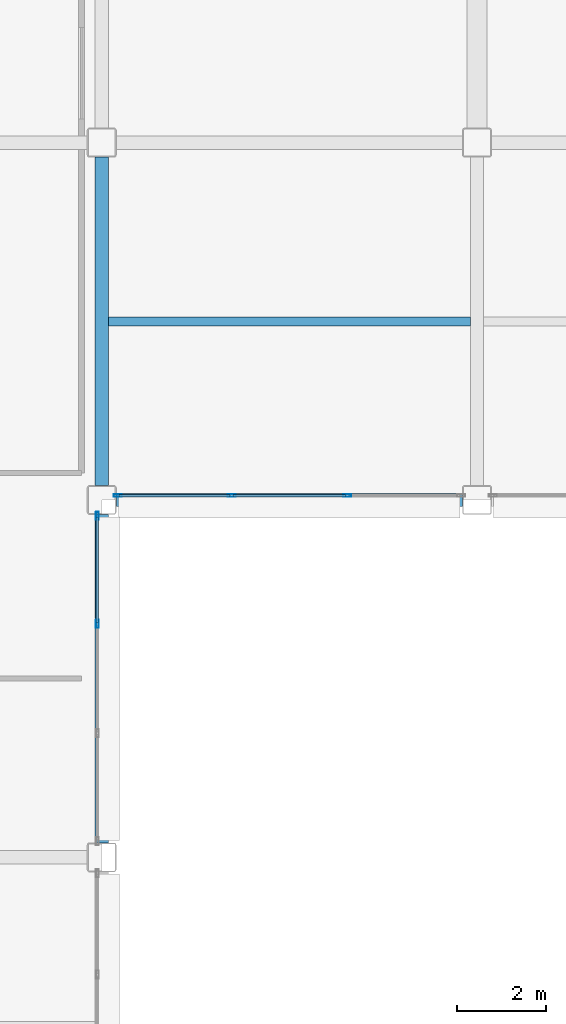
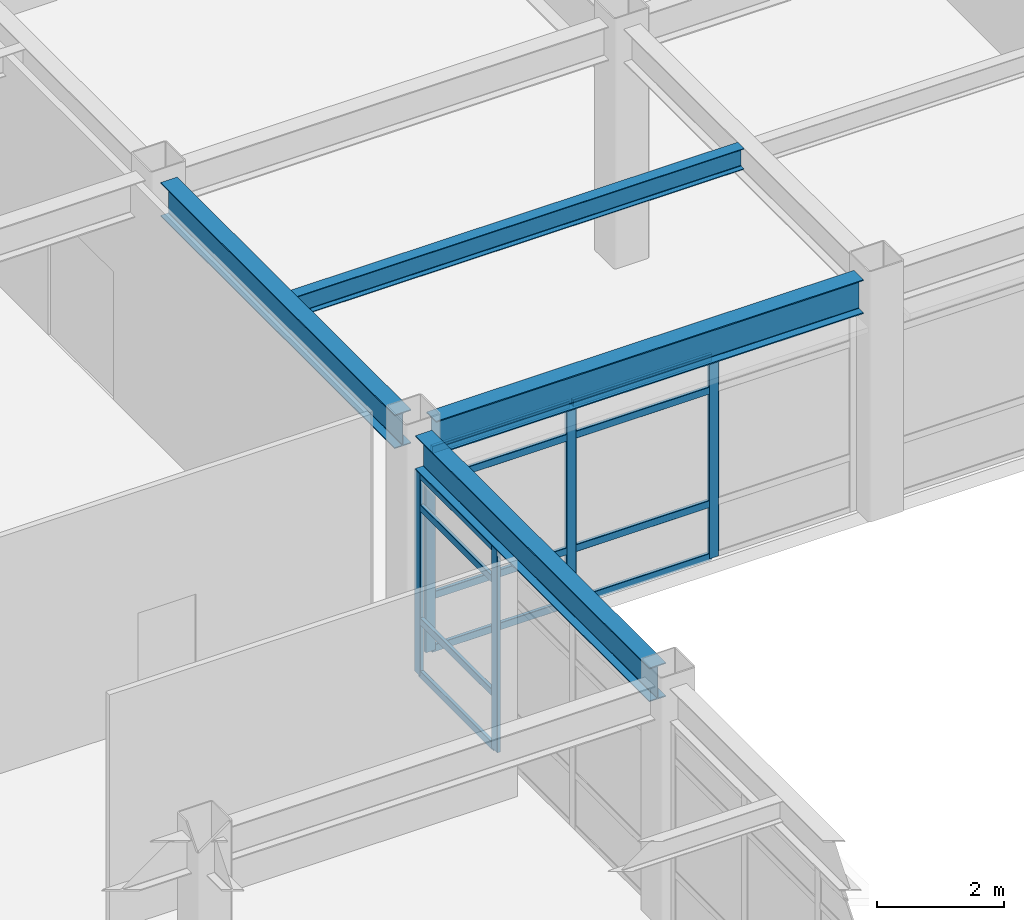
# One storey, part 41 of 172: 17 members, 4 beams, 2 elements without a shape of their own.
"""IFC4 building model written with IfcOpenShell, lengths in metres."""

from ifc_helpers import new_model, si_unit, direction, frame, origin, origin_2d, place, context, subcontext, project, spatial, hollow_rectangle, i_section, extrude, material, layer, layer_set, material_profile, profile_set, type_object, element, aggregate, save


model = new_model("IFC4")

# Units and contexts
model_context = context("Model", 3, precision=1e-05, world=origin(), true_north=direction((0.0, 1.0)))
body_context = subcontext(model_context, "Body", "Model", "MODEL_VIEW")
ifc_project = project(units=[si_unit("LENGTHUNIT", "METRE"), si_unit("AREAUNIT", "SQUARE_METRE"), si_unit("VOLUMEUNIT", "CUBIC_METRE"), si_unit("PLANEANGLEUNIT", "RADIAN"), si_unit("MASSUNIT", "GRAM", prefix="KILO")], contexts=[model_context])

# Site, building, storey
site_placement = place(None, origin())
site = spatial("IfcSite", under=ifc_project, at=site_placement, CompositionType="ELEMENT")
building_placement = place(site_placement, origin())
building = spatial("IfcBuilding", under=site, at=building_placement, Name="Kazehara Bluff Congress Hotel", CompositionType="ELEMENT")
storey_placement = place(building_placement, frame((0.0, 0.0, 5.39990234375)))
storey = spatial("IfcBuildingStorey", under=building, at=storey_placement, Name="L01", CompositionType="ELEMENT", Elevation=5.39990234375)

# Curtain wall, members
ifc_material_1 = material(Name="Anodised aluminium", Category="aluminium")
ifc_layer_1 = layer(ifc_material_1, 0.159912109375)
ifc_layer_set_1 = layer_set([ifc_layer_1], Name="Anodised aluminium")
curtain_wall_type_1 = type_object("IfcCurtainWallType", Name="TP-CW-56", PredefinedType="NOTDEFINED", material=ifc_layer_set_1)
curtain_wall_1_placement = place(storey_placement, origin())
curtain_wall_1 = element("IfcCurtainWall", 1, at=curtain_wall_1_placement, inside=storey, type_object=curtain_wall_type_1, Name="L01 curtain wall CW-56 CW-ENC-V4-L01-7595-1200", PredefinedType="NOTDEFINED")
ifc_material_2 = material(Name="Anodised aluminium", Category="aluminium")
ifc_material_profile_1 = material_profile(ifc_material_2, hollow_rectangle(XDim=0.06494140625, YDim=0.179931640625, WallThickness=0.00390625, InnerFilletRadius=0.00390625, OuterFilletRadius=0.008056640625, at=origin_2d()))
ifc_profile_set_1 = profile_set([ifc_material_profile_1], Name="Anodised aluminium")
member_type_1 = type_object("IfcMemberType", Name="TP-CWM-02", PredefinedType="MULLION", material=ifc_profile_set_1)
member_1_placement = place(storey_placement, frame((75.949951171875, 15.642578125, 0.0), z_axis=(0.0, 0.0, 1.0), x_axis=(1.0, 0.0, 0.0)))
member_1 = element("IfcMember", 2, at=member_1_placement, type_object=member_type_1, Name="CW-56 mullion 1", PredefinedType="MULLION", context=body_context, shape_type="SweptSolid", body=[
    extrude(hollow_rectangle(XDim=0.06494140625, YDim=0.179931640625, WallThickness=0.00390625, InnerFilletRadius=0.00390625, OuterFilletRadius=0.008056640625, at=origin_2d()), origin(), (0.0, 0.0, 1.0), 3.875),
])
member_2_placement = place(storey_placement, frame((75.949951171875, 13.22509765625, 0.0), z_axis=(0.0, 0.0, 1.0), x_axis=(1.0, 0.0, 0.0)))
member_2 = element("IfcMember", 3, at=member_2_placement, type_object=member_type_1, Name="CW-56 mullion 2", PredefinedType="MULLION", context=body_context, shape_type="SweptSolid", body=[
    extrude(hollow_rectangle(XDim=0.06494140625, YDim=0.179931640625, WallThickness=0.00390625, InnerFilletRadius=0.00390625, OuterFilletRadius=0.008056640625, at=origin_2d()), origin(), (0.0, 0.0, 1.0), 3.875),
])

ifc_material_3 = material(Name="Anodised aluminium", Category="aluminium")
ifc_layer_2 = layer(ifc_material_3, 0.159912109375)
ifc_layer_set_2 = layer_set([ifc_layer_2], Name="Anodised aluminium")
curtain_wall_type_2 = type_object("IfcCurtainWallType", Name="TP-CW-24", PredefinedType="NOTDEFINED", material=ifc_layer_set_2)
curtain_wall_2_placement = place(storey_placement, origin())
curtain_wall_2 = element("IfcCurtainWall", 4, at=curtain_wall_2_placement, inside=storey, type_object=curtain_wall_type_2, Name="L01 curtain wall CW-24 CW-ENC-V4-L01-8025-1610", PredefinedType="NOTDEFINED")
member_3_placement = place(storey_placement, frame((81.541748046875, 16.10009765625, 0.0), z_axis=(0.0, 0.0, 1.0), x_axis=(0.0, -1.0, 0.0)))
member_3 = element("IfcMember", 5, at=member_3_placement, type_object=member_type_1, Name="CW-24 mullion 2", PredefinedType="MULLION", context=body_context, shape_type="SweptSolid", body=[
    extrude(hollow_rectangle(XDim=0.06494140625, YDim=0.179931640625, WallThickness=0.00390625, InnerFilletRadius=0.00390625, OuterFilletRadius=0.008056640625, at=origin_2d()), origin(), (0.0, 0.0, 1.0), 3.875),
])
member_4_placement = place(storey_placement, frame((78.958251953125, 16.10009765625, 0.0), z_axis=(0.0, 0.0, 1.0), x_axis=(0.0, -1.0, 0.0)))
member_4 = element("IfcMember", 6, at=member_4_placement, type_object=member_type_1, Name="CW-24 mullion 3", PredefinedType="MULLION", context=body_context, shape_type="SweptSolid", body=[
    extrude(hollow_rectangle(XDim=0.06494140625, YDim=0.179931640625, WallThickness=0.00390625, InnerFilletRadius=0.00390625, OuterFilletRadius=0.008056640625, at=origin_2d()), origin(), (0.0, 0.0, 1.0), 3.875),
])
member_5_placement = place(storey_placement, frame((76.407470703125, 16.10009765625, 0.0), z_axis=(0.0, 0.0, 1.0), x_axis=(0.0, -1.0, 0.0)))
member_5 = element("IfcMember", 7, at=member_5_placement, type_object=member_type_1, Name="CW-24 mullion 4", PredefinedType="MULLION", context=body_context, shape_type="SweptSolid", body=[
    extrude(hollow_rectangle(XDim=0.06494140625, YDim=0.179931640625, WallThickness=0.00390625, InnerFilletRadius=0.00390625, OuterFilletRadius=0.008056640625, at=origin_2d()), origin(), (0.0, 0.0, 1.0), 3.875),
])

# Member
ifc_material_4 = material(Name="Anodised aluminium", Category="aluminium")
ifc_material_profile_2 = material_profile(ifc_material_4, hollow_rectangle(XDim=0.06494140625, YDim=0.139892578125, WallThickness=0.00390625, InnerFilletRadius=0.00390625, OuterFilletRadius=0.008056640625, at=origin_2d()))
ifc_profile_set_2 = profile_set([ifc_material_profile_2], Name="Anodised aluminium")
member_type_2 = type_object("IfcMemberType", Name="TP-CWT-02", PredefinedType="USERDEFINED", material=ifc_profile_set_2)
member_6_placement = place(storey_placement, frame((75.949951171875, 15.610107421875, 0.03271484375), z_axis=(0.0, -1.0, 0.0), x_axis=(1.0, 0.0, 0.0)))
member_6 = element("IfcMember", 8, at=member_6_placement, type_object=member_type_2, Name="CW-56 transom 1.1", ObjectType="TRANSOM", PredefinedType="USERDEFINED", context=body_context, shape_type="SweptSolid", body=[
    extrude(hollow_rectangle(XDim=0.06494140625, YDim=0.139892578125, WallThickness=0.00390625, InnerFilletRadius=0.00390625, OuterFilletRadius=0.008056640625, at=origin_2d()), origin(), (0.0, 0.0, 1.0), 2.3525390625),
])

member_7_placement = place(storey_placement, frame((75.949951171875, 15.610107421875, 1.050048828125), z_axis=(0.0, -1.0, 0.0), x_axis=(1.0, 0.0, 0.0)))
member_7 = element("IfcMember", 9, at=member_7_placement, type_object=member_type_2, Name="CW-56 transom 1.2", ObjectType="TRANSOM", PredefinedType="USERDEFINED", context=body_context, shape_type="SweptSolid", body=[
    extrude(hollow_rectangle(XDim=0.06494140625, YDim=0.139892578125, WallThickness=0.00390625, InnerFilletRadius=0.00390625, OuterFilletRadius=0.008056640625, at=origin_2d()), origin(), (0.0, 0.0, 1.0), 2.3525390625),
])

member_8_placement = place(storey_placement, frame((75.949951171875, 15.610107421875, 3.22509765625), z_axis=(0.0, -1.0, 0.0), x_axis=(1.0, 0.0, 0.0)))
member_8 = element("IfcMember", 10, at=member_8_placement, type_object=member_type_2, Name="CW-56 transom 1.3", ObjectType="TRANSOM", PredefinedType="USERDEFINED", context=body_context, shape_type="SweptSolid", body=[
    extrude(hollow_rectangle(XDim=0.06494140625, YDim=0.139892578125, WallThickness=0.00390625, InnerFilletRadius=0.00390625, OuterFilletRadius=0.008056640625, at=origin_2d()), origin(), (0.0, 0.0, 1.0), 2.3525390625),
])

member_9_placement = place(storey_placement, frame((75.949951171875, 15.610107421875, 3.842529296875), z_axis=(0.0, -1.0, 0.0), x_axis=(1.0, 0.0, 0.0)))
member_9 = element("IfcMember", 11, at=member_9_placement, type_object=member_type_2, Name="CW-56 transom 1.4", ObjectType="TRANSOM", PredefinedType="USERDEFINED", context=body_context, shape_type="SweptSolid", body=[
    extrude(hollow_rectangle(XDim=0.06494140625, YDim=0.139892578125, WallThickness=0.00390625, InnerFilletRadius=0.00390625, OuterFilletRadius=0.008056640625, at=origin_2d()), origin(), (0.0, 0.0, 1.0), 2.3525390625),
])

aggregate(curtain_wall_1, [member_1, member_2, member_6, member_7, member_8, member_9])

member_10_placement = place(storey_placement, frame((81.50927734375, 16.10009765625, 0.03271484375), z_axis=(-1.0, 0.0, 0.0), x_axis=(0.0, -1.0, 0.0)))
member_10 = element("IfcMember", 12, at=member_10_placement, type_object=member_type_2, Name="CW-24 transom 2.1", ObjectType="TRANSOM", PredefinedType="USERDEFINED", context=body_context, shape_type="SweptSolid", body=[
    extrude(hollow_rectangle(XDim=0.06494140625, YDim=0.139892578125, WallThickness=0.00390625, InnerFilletRadius=0.00390625, OuterFilletRadius=0.008056640625, at=origin_2d()), origin(), (0.0, 0.0, 1.0), 2.5185546875),
])

member_11_placement = place(storey_placement, frame((81.50927734375, 16.10009765625, 1.050048828125), z_axis=(-1.0, 0.0, 0.0), x_axis=(0.0, -1.0, 0.0)))
member_11 = element("IfcMember", 13, at=member_11_placement, type_object=member_type_2, Name="CW-24 transom 2.2", ObjectType="TRANSOM", PredefinedType="USERDEFINED", context=body_context, shape_type="SweptSolid", body=[
    extrude(hollow_rectangle(XDim=0.06494140625, YDim=0.139892578125, WallThickness=0.00390625, InnerFilletRadius=0.00390625, OuterFilletRadius=0.008056640625, at=origin_2d()), origin(), (0.0, 0.0, 1.0), 2.5185546875),
])

member_12_placement = place(storey_placement, frame((81.50927734375, 16.10009765625, 3.22509765625), z_axis=(-1.0, 0.0, 0.0), x_axis=(0.0, -1.0, 0.0)))
member_12 = element("IfcMember", 14, at=member_12_placement, type_object=member_type_2, Name="CW-24 transom 2.3", ObjectType="TRANSOM", PredefinedType="USERDEFINED", context=body_context, shape_type="SweptSolid", body=[
    extrude(hollow_rectangle(XDim=0.06494140625, YDim=0.139892578125, WallThickness=0.00390625, InnerFilletRadius=0.00390625, OuterFilletRadius=0.008056640625, at=origin_2d()), origin(), (0.0, 0.0, 1.0), 2.5185546875),
])

member_13_placement = place(storey_placement, frame((81.50927734375, 16.10009765625, 3.842529296875), z_axis=(-1.0, 0.0, 0.0), x_axis=(0.0, -1.0, 0.0)))
member_13 = element("IfcMember", 15, at=member_13_placement, type_object=member_type_2, Name="CW-24 transom 2.4", ObjectType="TRANSOM", PredefinedType="USERDEFINED", context=body_context, shape_type="SweptSolid", body=[
    extrude(hollow_rectangle(XDim=0.06494140625, YDim=0.139892578125, WallThickness=0.00390625, InnerFilletRadius=0.00390625, OuterFilletRadius=0.008056640625, at=origin_2d()), origin(), (0.0, 0.0, 1.0), 2.5185546875),
])

member_14_placement = place(storey_placement, frame((78.92578125, 16.10009765625, 0.03271484375), z_axis=(-1.0, 0.0, 0.0), x_axis=(0.0, -1.0, 0.0)))
member_14 = element("IfcMember", 16, at=member_14_placement, type_object=member_type_2, Name="CW-24 transom 3.1", ObjectType="TRANSOM", PredefinedType="USERDEFINED", context=body_context, shape_type="SweptSolid", body=[
    extrude(hollow_rectangle(XDim=0.06494140625, YDim=0.139892578125, WallThickness=0.00390625, InnerFilletRadius=0.00390625, OuterFilletRadius=0.008056640625, at=origin_2d()), origin(), (0.0, 0.0, 1.0), 2.48583984375),
])

member_15_placement = place(storey_placement, frame((78.92578125, 16.10009765625, 1.050048828125), z_axis=(-1.0, 0.0, 0.0), x_axis=(0.0, -1.0, 0.0)))
member_15 = element("IfcMember", 17, at=member_15_placement, type_object=member_type_2, Name="CW-24 transom 3.2", ObjectType="TRANSOM", PredefinedType="USERDEFINED", context=body_context, shape_type="SweptSolid", body=[
    extrude(hollow_rectangle(XDim=0.06494140625, YDim=0.139892578125, WallThickness=0.00390625, InnerFilletRadius=0.00390625, OuterFilletRadius=0.008056640625, at=origin_2d()), origin(), (0.0, 0.0, 1.0), 2.48583984375),
])

member_16_placement = place(storey_placement, frame((78.92578125, 16.10009765625, 3.22509765625), z_axis=(-1.0, 0.0, 0.0), x_axis=(0.0, -1.0, 0.0)))
member_16 = element("IfcMember", 18, at=member_16_placement, type_object=member_type_2, Name="CW-24 transom 3.3", ObjectType="TRANSOM", PredefinedType="USERDEFINED", context=body_context, shape_type="SweptSolid", body=[
    extrude(hollow_rectangle(XDim=0.06494140625, YDim=0.139892578125, WallThickness=0.00390625, InnerFilletRadius=0.00390625, OuterFilletRadius=0.008056640625, at=origin_2d()), origin(), (0.0, 0.0, 1.0), 2.48583984375),
])

member_17_placement = place(storey_placement, frame((78.92578125, 16.10009765625, 3.842529296875), z_axis=(-1.0, 0.0, 0.0), x_axis=(0.0, -1.0, 0.0)))
member_17 = element("IfcMember", 19, at=member_17_placement, type_object=member_type_2, Name="CW-24 transom 3.4", ObjectType="TRANSOM", PredefinedType="USERDEFINED", context=body_context, shape_type="SweptSolid", body=[
    extrude(hollow_rectangle(XDim=0.06494140625, YDim=0.139892578125, WallThickness=0.00390625, InnerFilletRadius=0.00390625, OuterFilletRadius=0.008056640625, at=origin_2d()), origin(), (0.0, 0.0, 1.0), 2.48583984375),
])

aggregate(curtain_wall_2, [member_3, member_4, member_5, member_10, member_11, member_12, member_13, member_14, member_15, member_16, member_17])

# Beams
ifc_material_5 = material(Name="Steel SN490B", Category="steel")
ifc_material_profile_3 = material_profile(ifc_material_5, i_section(OverallWidth=0.300048828125, OverallDepth=0.64990234375, WebThickness=0.011962890625, FlangeThickness=0.02001953125, FilletRadius=0.012939453125, at=origin_2d()))
ifc_profile_set_3 = profile_set([ifc_material_profile_3], Name="Steel SN490B")
beam_type_1 = type_object("IfcBeamType", Name="TP-G-03", PredefinedType="BEAM", material=ifc_profile_set_3)
for number, where, z_axis, x_axis, name in (
    (20, (76.050048828125, 8.324951171875, 4.22509765625), (0.0, 1.0, 0.0), (-1.0, 0.0, 0.0), "L01 girder G-03 163"),
    (21, (76.050048828125, 16.324951171875, 4.22509765625), (0.0, 1.0, 0.0), (-1.0, 0.0, 0.0), "L01 girder G-03 164"),
):
    element("IfcBeam", number, at=place(storey_placement, frame(where, z_axis=z_axis, x_axis=x_axis)), inside=storey, type_object=beam_type_1, Name=name, PredefinedType="BEAM", context=body_context, shape_type="SweptSolid", body=[
        extrude(i_section(OverallWidth=0.300048828125, OverallDepth=0.64990234375, WebThickness=0.011962890625, FlangeThickness=0.02001953125, FilletRadius=0.012939453125, at=origin_2d()), origin(), (0.0, 0.0, 1.0), 7.35009765625),
    ])
beam_1_placement = place(storey_placement, frame((76.375, 16.0, 4.22509765625), z_axis=(1.0, 0.0, 0.0), x_axis=(0.0, 1.0, 0.0)))
element("IfcBeam", 22, at=beam_1_placement, inside=storey, type_object=beam_type_1, Name="L01 girder G-03 189", PredefinedType="BEAM", context=body_context, shape_type="SweptSolid", body=[
    extrude(i_section(OverallWidth=0.300048828125, OverallDepth=0.64990234375, WebThickness=0.011962890625, FlangeThickness=0.02001953125, FilletRadius=0.012939453125, at=origin_2d()), origin(), (0.0, 0.0, 1.0), 7.75),
])
ifc_material_6 = material(Name="Steel SN400B", Category="steel")
ifc_material_profile_4 = material_profile(ifc_material_6, i_section(OverallWidth=0.199951171875, OverallDepth=0.39990234375, WebThickness=0.008056640625, FlangeThickness=0.012939453125, FilletRadius=0.012939453125, at=origin_2d()))
ifc_profile_set_4 = profile_set([ifc_material_profile_4], Name="Steel SN400B")
beam_type_2 = type_object("IfcBeamType", Name="TP-J-03", PredefinedType="JOIST", material=ifc_profile_set_4)
beam_2_placement = place(storey_placement, frame((76.199951171875, 20.0, 4.35009765625), z_axis=(1.0, 0.0, 0.0), x_axis=(0.0, 1.0, 0.0)))
element("IfcBeam", 23, at=beam_2_placement, inside=storey, type_object=beam_type_2, Name="L01 secondary joist J-03 43", PredefinedType="JOIST", context=body_context, shape_type="SweptSolid", body=[
    extrude(i_section(OverallWidth=0.199951171875, OverallDepth=0.39990234375, WebThickness=0.008056640625, FlangeThickness=0.012939453125, FilletRadius=0.012939453125, at=origin_2d()), origin(), (0.0, 0.0, 1.0), 8.10009765625),
])

save(model, "model.ifc")
